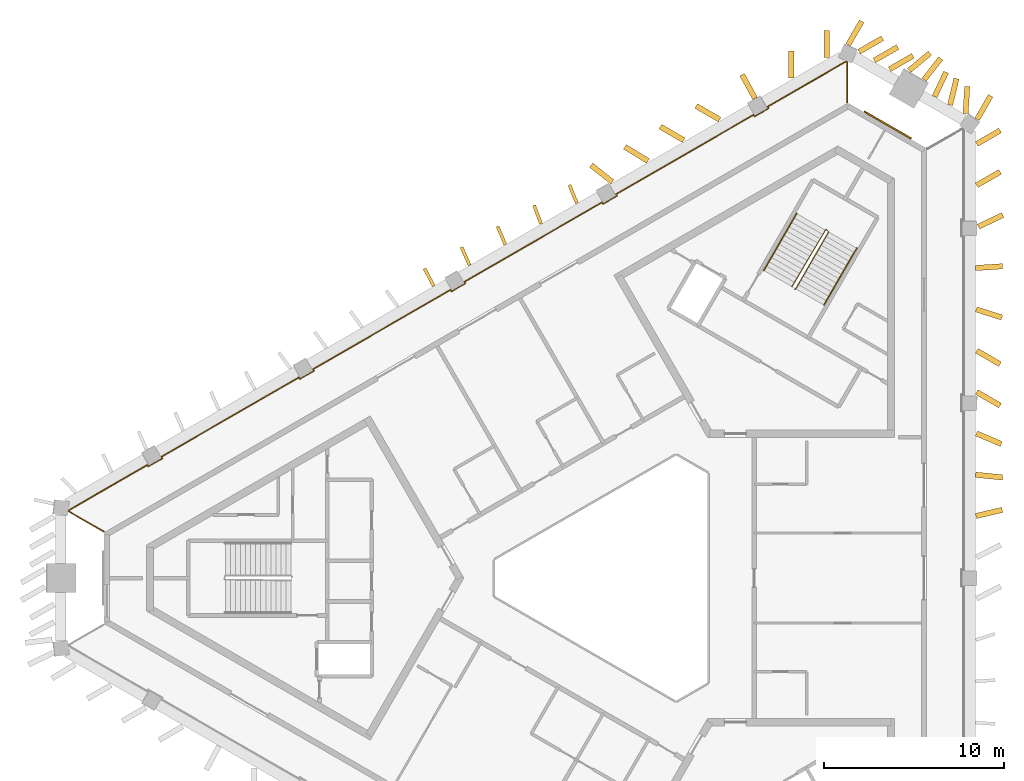
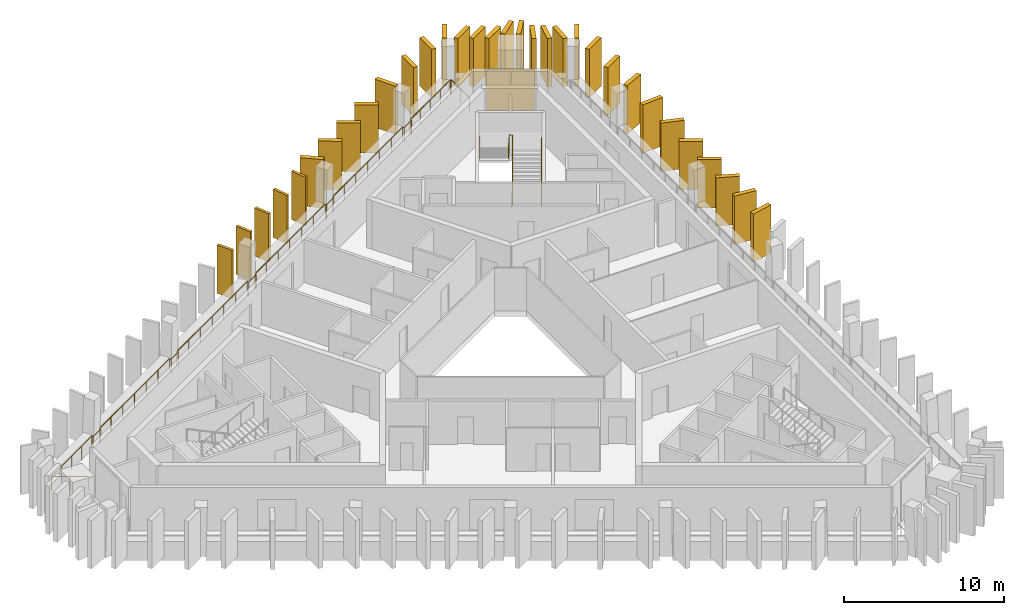
# One storey, part 9 of 9: 32 shading devices, 4 railings, 1 covering.
"""IFC4 building model written with IfcOpenShell, lengths in metres."""

from ifc_helpers import new_model, si_unit, direction, frame, frame_2d, origin, origin_2d, place, context, subcontext, project, spatial, rectangle, circle, extrude, material, layer, layer_set, type_object, element, save


model = new_model("IFC4")

# Units and contexts
model_context = context("Model", 3, precision=1e-05, world=origin(), true_north=direction((0.0, 1.0)))
body_context = subcontext(model_context, "Body", "Model", "MODEL_VIEW")
ifc_project = project(units=[si_unit("LENGTHUNIT", "METRE"), si_unit("AREAUNIT", "SQUARE_METRE"), si_unit("VOLUMEUNIT", "CUBIC_METRE"), si_unit("PLANEANGLEUNIT", "RADIAN"), si_unit("MASSUNIT", "GRAM", prefix="KILO")], contexts=[model_context])

# Site, building, storey
site_placement = place(None, origin())
site = spatial("IfcSite", under=ifc_project, at=site_placement, CompositionType="ELEMENT")
building_placement = place(site_placement, origin())
building = spatial("IfcBuilding", under=site, at=building_placement, Name="Jabali Bay Hotel Tower and Convention Centre", CompositionType="ELEMENT")
storey_placement = place(building_placement, frame((0.0, 0.0, 277.5)))
storey = spatial("IfcBuildingStorey", under=building, at=storey_placement, Name="L68", CompositionType="ELEMENT", Elevation=277.5)

# Railing
ifc_material_1 = material(Name="Glass", Category="glass")
railing_type_1 = type_object("IfcRailingType", Name="Loggia glass guard 1100", PredefinedType="BALUSTRADE", material=ifc_material_1)
railing_1_placement = place(storey_placement, frame((46.0478515625, 82.571533203125, 0.0)))
element("IfcRailing", 1, at=railing_1_placement, inside=storey, type_object=railing_type_1, Name="Loggia glass guard L68", PredefinedType="BALUSTRADE", context=body_context, shape_type="SweptSolid", body=[
    extrude(circle(Radius=0.02490234375, at=origin_2d()), frame((0.0, 0.0, 1.0751953125), z_axis=(-0.865989003036, 0.500063042646, 0.0), x_axis=(-0.495784933994, -0.858580347067, 0.13052619222)), (0.0, 0.0, 1.0), 2.275146484375),
    extrude(circle(Radius=0.02490234375, at=origin_2d()), frame((-1.97021484375, 1.1376953125, 1.0751953125), z_axis=(0.11836727086, 0.992969883324, 0.0), x_axis=(-0.984474888321, 0.117354622449, 0.13052619222)), (0.0, 0.0, 1.0), 0.037109375),
    extrude(circle(Radius=0.02490234375, at=origin_2d()), frame((-1.9658203125, 1.174560546875, 1.0751953125), z_axis=(0.866015766061, 0.500016692654, 0.0), x_axis=(-0.495738980533, 0.85860688113, 0.13052619222)), (0.0, 0.0, 1.0), 5.051513671875),
    extrude(circle(Radius=0.02490234375, at=origin_2d()), frame((2.408935546875, 3.700439453125, 1.0751953125), z_axis=(0.500074377092, -0.865982457891, 0.0), x_axis=(0.858573857916, 0.495796171473, 0.13052619222)), (0.0, 0.0, 1.0), 0.10009765625),
    extrude(circle(Radius=0.02490234375, at=origin_2d()), frame((2.458984375, 3.61376953125, 1.0751953125), z_axis=(0.866081705922, 0.499902469156, 0.0), x_axis=(-0.495625734232, 0.858672256866, 0.13052619222)), (0.0, 0.0, 1.0), 0.900146484375),
    extrude(circle(Radius=0.02490234375, at=origin_2d()), frame((3.238525390625, 4.063720703125, 1.0751953125), z_axis=(-0.500074377092, 0.865982457891, 0.0), x_axis=(-0.858573857916, -0.495796171473, 0.13052619222)), (0.0, 0.0, 1.0), 0.10009765625),
    extrude(circle(Radius=0.02490234375, at=origin_2d()), frame((3.1884765625, 4.150390625, 1.0751953125), z_axis=(0.866015113096, 0.500017823572, 0.0), x_axis=(-0.495740101776, 0.858606233751, 0.13052619222)), (0.0, 0.0, 1.0), 8.800537109375),
    extrude(circle(Radius=0.02490234375, at=origin_2d()), frame((10.809814453125, 8.55078125, 1.0751953125), z_axis=(0.500074377092, -0.865982457891, 0.0), x_axis=(0.858573857916, 0.495796171473, 0.13052619222)), (0.0, 0.0, 1.0), 0.10009765625),
    extrude(circle(Radius=0.02490234375, at=origin_2d()), frame((10.85986328125, 8.464111328125, 1.0751953125), z_axis=(0.866081705922, 0.499902469156, 0.0), x_axis=(-0.495625734232, 0.858672256866, 0.13052619222)), (0.0, 0.0, 1.0), 0.900146484375),
    extrude(circle(Radius=0.02490234375, at=origin_2d()), frame((11.639404296875, 8.9140625, 1.0751953125), z_axis=(-0.500074377092, 0.865982457891, 0.0), x_axis=(-0.858573857916, -0.495796171473, 0.13052619222)), (0.0, 0.0, 1.0), 0.10009765625),
    extrude(circle(Radius=0.02490234375, at=origin_2d()), frame((11.58935546875, 9.000732421875, 1.0751953125), z_axis=(0.866034061049, 0.499985004878, 0.0), x_axis=(-0.49570756385, 0.858625019602, 0.13052619222)), (0.0, 0.0, 1.0), 8.800537109375),
    extrude(circle(Radius=0.02490234375, at=origin_2d()), frame((19.2109375, 13.40087890625, 1.0751953125), z_axis=(0.499298623879, -0.866429964967, 0.0), x_axis=(0.859017536507, 0.495027054936, 0.13052619222)), (0.0, 0.0, 1.0), 0.099853515625),
    extrude(circle(Radius=0.02490234375, at=origin_2d()), frame((19.2607421875, 13.314453125, 1.0751953125), z_axis=(0.866081705922, 0.499902469156, 0.0), x_axis=(-0.495625734232, 0.858672256866, 0.13052619222)), (0.0, 0.0, 1.0), 0.900146484375),
    extrude(circle(Radius=0.02490234375, at=origin_2d()), frame((20.040283203125, 13.764404296875, 1.0751953125), z_axis=(-0.501132629342, 0.865370491644, 0.0), x_axis=(-0.857967127125, -0.496845370228, 0.13052619222)), (0.0, 0.0, 1.0), 0.099853515625),
    extrude(circle(Radius=0.02490234375, at=origin_2d()), frame((19.990234375, 13.850830078125, 1.0751953125), z_axis=(0.866022048785, 0.500005810984, 0.0), x_axis=(-0.495728191957, 0.858613110104, 0.13052619222)), (0.0, 0.0, 1.0), 8.80078125),
    extrude(circle(Radius=0.02490234375, at=origin_2d()), frame((27.61181640625, 18.251220703125, 1.0751953125), z_axis=(0.4982416694, -0.867038199201, 0.0), x_axis=(0.859620567213, 0.493979142849, 0.13052619222)), (0.0, 0.0, 1.0), 0.099853515625),
    extrude(circle(Radius=0.02490234375, at=origin_2d()), frame((27.66162109375, 18.16455078125, 1.0751953125), z_axis=(0.866081705922, 0.499902469156, 0.0), x_axis=(-0.495625734232, 0.858672256866, 0.13052619222)), (0.0, 0.0, 1.0), 0.900146484375),
    extrude(circle(Radius=0.02490234375, at=origin_2d()), frame((28.441162109375, 18.614501953125, 1.0751953125), z_axis=(-0.500074377092, 0.865982457891, 0.0), x_axis=(-0.858573857916, -0.495796171473, 0.13052619222)), (0.0, 0.0, 1.0), 0.10009765625),
    extrude(circle(Radius=0.02490234375, at=origin_2d()), frame((28.39111328125, 18.701171875, 1.0751953125), z_axis=(0.866022048785, 0.500005810984, 0.0), x_axis=(-0.495728191957, 0.858613110104, 0.13052619222)), (0.0, 0.0, 1.0), 8.80078125),
    extrude(circle(Radius=0.02490234375, at=origin_2d()), frame((36.0126953125, 23.1015625, 1.0751953125), z_axis=(0.500074377092, -0.865982457891, 0.0), x_axis=(0.858573857916, 0.495796171473, 0.13052619222)), (0.0, 0.0, 1.0), 0.10009765625),
    extrude(circle(Radius=0.02490234375, at=origin_2d()), frame((36.062744140625, 23.014892578125, 1.0751953125), z_axis=(0.866013897511, 0.50001992892, 0.0), x_axis=(-0.495742189112, 0.858605028566, 0.13052619222)), (0.0, 0.0, 1.0), 0.89990234375),
    extrude(circle(Radius=0.02490234375, at=origin_2d()), frame((36.842041015625, 23.46484375, 1.0751953125), z_axis=(-0.500074377092, 0.865982457891, 0.0), x_axis=(-0.858573857916, -0.495796171473, 0.13052619222)), (0.0, 0.0, 1.0), 0.10009765625),
    extrude(circle(Radius=0.02490234375, at=origin_2d()), frame((36.7919921875, 23.551513671875, 1.0751953125), z_axis=(0.866036693549, 0.499980445045, 0.0), x_axis=(-0.495703043027, 0.85862762958, 0.13052619222)), (0.0, 0.0, 1.0), 5.051513671875),
    extrude(circle(Radius=0.02490234375, at=origin_2d()), frame((41.166748046875, 26.0771484375, 1.0751953125), z_axis=(0.922495174035, -0.386008618922, 0.0), x_axis=(0.382706261677, 0.914603099939, 0.13052619222)), (0.0, 0.0, 1.0), 0.037353515625),
    extrude(circle(Radius=0.02490234375, at=origin_2d()), frame((41.201171875, 26.062744140625, 1.0751953125), z_axis=(0.0, -1.0, 0.0), x_axis=(0.991444861374, 0.0, 0.13052619222)), (0.0, 0.0, 1.0), 2.275146484375),
    extrude(circle(Radius=0.02001953125, at=origin_2d()), origin(), (0.0, 0.0, 1.0), 1.050048828125),
    extrude(circle(Radius=0.02001953125, at=origin_2d()), frame((-0.985107421875, 0.56884765625, 0.0)), (0.0, 0.0, 1.0), 1.050048828125),
    extrude(circle(Radius=0.02001953125, at=origin_2d()), frame((-1.97021484375, 1.1376953125, 0.0)), (0.0, 0.0, 1.0), 1.050048828125),
    extrude(circle(Radius=0.02001953125, at=origin_2d()), frame((-1.9658203125, 1.174560546875, 0.0)), (0.0, 0.0, 1.0), 1.050048828125),
    extrude(circle(Radius=0.02001953125, at=origin_2d()), frame((-0.8720703125, 1.80615234375, 0.0)), (0.0, 0.0, 1.0), 1.050048828125),
    extrude(circle(Radius=0.02001953125, at=origin_2d()), frame((0.2216796875, 2.4375, 0.0)), (0.0, 0.0, 1.0), 1.050048828125),
    extrude(circle(Radius=0.02001953125, at=origin_2d()), frame((1.315185546875, 3.06884765625, 0.0)), (0.0, 0.0, 1.0), 1.050048828125),
    extrude(circle(Radius=0.02001953125, at=origin_2d()), frame((2.408935546875, 3.700439453125, 0.0)), (0.0, 0.0, 1.0), 1.050048828125),
    extrude(circle(Radius=0.02001953125, at=origin_2d()), frame((2.458984375, 3.61376953125, 0.0)), (0.0, 0.0, 1.0), 1.050048828125),
    extrude(circle(Radius=0.02001953125, at=origin_2d()), frame((3.238525390625, 4.063720703125, 0.0)), (0.0, 0.0, 1.0), 1.050048828125),
    extrude(circle(Radius=0.02001953125, at=origin_2d()), frame((3.1884765625, 4.150390625, 0.0)), (0.0, 0.0, 1.0), 1.050048828125),
    extrude(circle(Radius=0.02001953125, at=origin_2d()), frame((4.458740234375, 4.8837890625, 0.0)), (0.0, 0.0, 1.0), 1.050048828125),
    extrude(circle(Radius=0.02001953125, at=origin_2d()), frame((5.72900390625, 5.6171875, 0.0)), (0.0, 0.0, 1.0), 1.050048828125),
    extrude(circle(Radius=0.02001953125, at=origin_2d()), frame((6.9990234375, 6.3505859375, 0.0)), (0.0, 0.0, 1.0), 1.050048828125),
    extrude(circle(Radius=0.02001953125, at=origin_2d()), frame((8.269287109375, 7.083984375, 0.0)), (0.0, 0.0, 1.0), 1.050048828125),
    extrude(circle(Radius=0.02001953125, at=origin_2d()), frame((9.53955078125, 7.8173828125, 0.0)), (0.0, 0.0, 1.0), 1.050048828125),
    extrude(circle(Radius=0.02001953125, at=origin_2d()), frame((10.809814453125, 8.55078125, 0.0)), (0.0, 0.0, 1.0), 1.050048828125),
    extrude(circle(Radius=0.02001953125, at=origin_2d()), frame((10.85986328125, 8.464111328125, 0.0)), (0.0, 0.0, 1.0), 1.050048828125),
    extrude(circle(Radius=0.02001953125, at=origin_2d()), frame((11.639404296875, 8.9140625, 0.0)), (0.0, 0.0, 1.0), 1.050048828125),
    extrude(circle(Radius=0.02001953125, at=origin_2d()), frame((11.58935546875, 9.000732421875, 0.0)), (0.0, 0.0, 1.0), 1.050048828125),
    extrude(circle(Radius=0.02001953125, at=origin_2d()), frame((12.859619140625, 9.734130859375, 0.0)), (0.0, 0.0, 1.0), 1.050048828125),
    extrude(circle(Radius=0.02001953125, at=origin_2d()), frame((14.1298828125, 10.467529296875, 0.0)), (0.0, 0.0, 1.0), 1.050048828125),
    extrude(circle(Radius=0.02001953125, at=origin_2d()), frame((15.400146484375, 11.20068359375, 0.0)), (0.0, 0.0, 1.0), 1.050048828125),
    extrude(circle(Radius=0.02001953125, at=origin_2d()), frame((16.67041015625, 11.93408203125, 0.0)), (0.0, 0.0, 1.0), 1.050048828125),
    extrude(circle(Radius=0.02001953125, at=origin_2d()), frame((17.940673828125, 12.66748046875, 0.0)), (0.0, 0.0, 1.0), 1.050048828125),
    extrude(circle(Radius=0.02001953125, at=origin_2d()), frame((19.2109375, 13.40087890625, 0.0)), (0.0, 0.0, 1.0), 1.050048828125),
    extrude(circle(Radius=0.02001953125, at=origin_2d()), frame((19.2607421875, 13.314453125, 0.0)), (0.0, 0.0, 1.0), 1.050048828125),
    extrude(circle(Radius=0.02001953125, at=origin_2d()), frame((20.040283203125, 13.764404296875, 0.0)), (0.0, 0.0, 1.0), 1.050048828125),
    extrude(circle(Radius=0.02001953125, at=origin_2d()), frame((19.990234375, 13.850830078125, 0.0)), (0.0, 0.0, 1.0), 1.050048828125),
    extrude(circle(Radius=0.02001953125, at=origin_2d()), frame((21.260498046875, 14.584228515625, 0.0)), (0.0, 0.0, 1.0), 1.050048828125),
    extrude(circle(Radius=0.02001953125, at=origin_2d()), frame((22.53076171875, 15.317626953125, 0.0)), (0.0, 0.0, 1.0), 1.050048828125),
    extrude(circle(Radius=0.02001953125, at=origin_2d()), frame((23.801025390625, 16.051025390625, 0.0)), (0.0, 0.0, 1.0), 1.050048828125),
    extrude(circle(Radius=0.02001953125, at=origin_2d()), frame((25.0712890625, 16.784423828125, 0.0)), (0.0, 0.0, 1.0), 1.050048828125),
    extrude(circle(Radius=0.02001953125, at=origin_2d()), frame((26.341552734375, 17.517822265625, 0.0)), (0.0, 0.0, 1.0), 1.050048828125),
    extrude(circle(Radius=0.02001953125, at=origin_2d()), frame((27.61181640625, 18.251220703125, 0.0)), (0.0, 0.0, 1.0), 1.050048828125),
    extrude(circle(Radius=0.02001953125, at=origin_2d()), frame((27.66162109375, 18.16455078125, 0.0)), (0.0, 0.0, 1.0), 1.050048828125),
    extrude(circle(Radius=0.02001953125, at=origin_2d()), frame((28.441162109375, 18.614501953125, 0.0)), (0.0, 0.0, 1.0), 1.050048828125),
    extrude(circle(Radius=0.02001953125, at=origin_2d()), frame((28.39111328125, 18.701171875, 0.0)), (0.0, 0.0, 1.0), 1.050048828125),
    extrude(circle(Radius=0.02001953125, at=origin_2d()), frame((29.661376953125, 19.4345703125, 0.0)), (0.0, 0.0, 1.0), 1.050048828125),
    extrude(circle(Radius=0.02001953125, at=origin_2d()), frame((30.931640625, 20.16796875, 0.0)), (0.0, 0.0, 1.0), 1.050048828125),
    extrude(circle(Radius=0.02001953125, at=origin_2d()), frame((32.201904296875, 20.9013671875, 0.0)), (0.0, 0.0, 1.0), 1.050048828125),
    extrude(circle(Radius=0.02001953125, at=origin_2d()), frame((33.47216796875, 21.634765625, 0.0)), (0.0, 0.0, 1.0), 1.050048828125),
    extrude(circle(Radius=0.02001953125, at=origin_2d()), frame((34.742431640625, 22.3681640625, 0.0)), (0.0, 0.0, 1.0), 1.050048828125),
    extrude(circle(Radius=0.02001953125, at=origin_2d()), frame((36.0126953125, 23.1015625, 0.0)), (0.0, 0.0, 1.0), 1.050048828125),
    extrude(circle(Radius=0.02001953125, at=origin_2d()), frame((36.062744140625, 23.014892578125, 0.0)), (0.0, 0.0, 1.0), 1.050048828125),
    extrude(circle(Radius=0.02001953125, at=origin_2d()), frame((36.842041015625, 23.46484375, 0.0)), (0.0, 0.0, 1.0), 1.050048828125),
    extrude(circle(Radius=0.02001953125, at=origin_2d()), frame((36.7919921875, 23.551513671875, 0.0)), (0.0, 0.0, 1.0), 1.050048828125),
    extrude(circle(Radius=0.02001953125, at=origin_2d()), frame((37.8857421875, 24.182861328125, 0.0)), (0.0, 0.0, 1.0), 1.050048828125),
    extrude(circle(Radius=0.02001953125, at=origin_2d()), frame((38.9794921875, 24.814453125, 0.0)), (0.0, 0.0, 1.0), 1.050048828125),
    extrude(circle(Radius=0.02001953125, at=origin_2d()), frame((40.072998046875, 25.44580078125, 0.0)), (0.0, 0.0, 1.0), 1.050048828125),
    extrude(circle(Radius=0.02001953125, at=origin_2d()), frame((41.166748046875, 26.0771484375, 0.0)), (0.0, 0.0, 1.0), 1.050048828125),
    extrude(circle(Radius=0.02001953125, at=origin_2d()), frame((41.201171875, 26.062744140625, 0.0)), (0.0, 0.0, 1.0), 1.050048828125),
    extrude(circle(Radius=0.02001953125, at=origin_2d()), frame((41.201171875, 24.92529296875, 0.0)), (0.0, 0.0, 1.0), 1.050048828125),
    extrude(circle(Radius=0.02001953125, at=origin_2d()), frame((41.201171875, 23.78759765625, 0.0)), (0.0, 0.0, 1.0), 1.050048828125),
])

# Shading devices
ifc_material_2 = material(Name="Precast concrete C60", Category="concrete")
ifc_layer_1 = layer(ifc_material_2, 0.179931640625)
ifc_layer_set_1 = layer_set([ifc_layer_1], Name="Precast concrete C60")
shading_device_type_1 = type_object("IfcShadingDeviceType", Name="Precast fin 3680 x 1100", PredefinedType="USERDEFINED", material=ifc_layer_set_1)
shading_device_1_placement = place(storey_placement, frame((72.265625, 100.77392578125, 0.010009765625), z_axis=(0.0, 0.0, 1.0), x_axis=(-0.376359189928, 0.926473831339, 0.0)))
element("IfcShadingDevice", 2, at=shading_device_1_placement, inside=storey, type_object=shading_device_type_1, Name="Fin L68 037", ObjectType="FIN", PredefinedType="USERDEFINED", context=body_context, shape_type="SweptSolid", body=[
    extrude(rectangle(XDim=1.10009765625, YDim=0.179931640625, at=frame_2d((0.550048828125, 0.0))), origin(), (0.0, 0.0, 1.0), 3.679931640625),
])
for number, where, z_axis, x_axis, name in (
    (3, (70.2802734375, 99.63037109375, 0.010009765625), (0.0, 0.0, 1.0), (-0.353797640274, 0.935321992544, 0.0), "Fin L68 038"),
    (4, (68.2978515625, 98.481689453125, 0.010009765625), (0.0, 0.0, 1.0), (-0.391131239312, 0.920334913841, 0.0), "Fin L68 039"),
    (5, (66.314208984375, 97.335205078125, 0.010009765625), (0.0, 0.0, 1.0), (-0.401540652367, 0.91584120048, 0.0), "Fin L68 040"),
    (6, (64.33349609375, 96.18408203125, 0.010009765625), (0.0, 0.0, 1.0), (-0.467255274721, 0.884122450934, 0.0), "Fin L68 041"),
):
    element("IfcShadingDevice", number, at=place(storey_placement, frame(where, z_axis=z_axis, x_axis=x_axis)), inside=storey, type_object=shading_device_type_1, Name=name, ObjectType="FIN", PredefinedType="USERDEFINED", context=body_context, shape_type="SweptSolid", body=[
        extrude(rectangle(XDim=1.099853515625, YDim=0.179931640625, at=frame_2d((0.5498046875, 0.0))), origin(), (0.0, 0.0, 1.0), 3.679931640625),
    ])
ifc_layer_2 = layer(ifc_material_2, 0.300048828125)
ifc_layer_set_2 = layer_set([ifc_layer_2], Name="Precast concrete C60")
shading_device_type_2 = type_object("IfcShadingDeviceType", Name="Precast fin 3680 x 1500", PredefinedType="USERDEFINED", material=ifc_layer_set_2)
for number, where, z_axis, x_axis, name in (
    (7, (94.3798828125, 83.436767578125, 0.010009765625), (0.0, 0.0, 1.0), (0.973464107969, 0.228839748504, 0.0), "Fin L68 012"),
    (8, (94.36083984375, 85.727783203125, 0.010009765625), (0.0, 0.0, 1.0), (0.994795830464, -0.101888447296, 0.0), "Fin L68 013"),
):
    element("IfcShadingDevice", number, at=place(storey_placement, frame(where, z_axis=z_axis, x_axis=x_axis)), inside=storey, type_object=shading_device_type_2, Name=name, ObjectType="FIN", PredefinedType="USERDEFINED", context=body_context, shape_type="SweptSolid", body=[
        extrude(rectangle(XDim=1.5, YDim=0.300048828125, at=frame_2d((0.75, 0.0))), origin(), (0.0, 0.0, 1.0), 3.679931640625),
    ])
shading_device_2_placement = place(storey_placement, frame((94.404541015625, 88.018798828125, 0.010009765625), z_axis=(0.0, 0.0, 1.0), x_axis=(0.919842394291, -0.392288120729, 0.0)))
element("IfcShadingDevice", 9, at=shading_device_2_placement, inside=storey, type_object=shading_device_type_2, Name="Fin L68 014", ObjectType="FIN", PredefinedType="USERDEFINED", context=body_context, shape_type="SweptSolid", body=[
    extrude(rectangle(XDim=1.499755859375, YDim=0.300048828125, at=frame_2d((0.75, 0.0))), origin(), (0.0, 0.0, 1.0), 3.679931640625),
])
for number, where, z_axis, x_axis, name in (
    (10, (94.420654296875, 90.31005859375, 0.010009765625), (0.0, 0.0, 1.0), (0.866031096941, -0.499990139034, 0.0), "Fin L68 015"),
    (11, (94.420654296875, 92.60107421875, 0.010009765625), (0.0, 0.0, 1.0), (0.866031096941, -0.499990139034, 0.0), "Fin L68 016"),
    (12, (94.390869140625, 94.89208984375, 0.010009765625), (0.0, 0.0, 1.0), (0.953390614947, -0.30173885287, 0.0), "Fin L68 017"),
    (13, (94.35546875, 97.183349609375, 0.010009765625), (0.0, 0.0, 1.0), (0.997889057947, 0.06494172796, 0.0), "Fin L68 018"),
    (14, (94.517822265625, 99.474365234375, 0.010009765625), (0.0, 0.0, 1.0), (0.902354459158, 0.430994698386, 0.0), "Fin L68 019"),
    (15, (94.420654296875, 101.765380859375, 0.010009765625), (0.0, 0.0, 1.0), (0.866031096941, 0.499990139034, 0.0), "Fin L68 020"),
    (16, (94.420654296875, 104.056640625, 0.010009765625), (0.0, 0.0, 1.0), (0.866031096941, 0.499990139034, 0.0), "Fin L68 021"),
    (17, (93.80810546875, 105.752197265625, 0.010009765625), (0.0, 0.0, 1.0), (0.059408985833, 0.99823372634, 0.0), "Fin L68 022"),
    (18, (92.95166015625, 106.21875, 0.010009765625), (0.0, 0.0, 1.0), (0.231950599533, 0.972727566884, 0.0), "Fin L68 023"),
    (19, (92.09228515625, 106.679931640625, 0.010009765625), (0.0, 0.0, 1.0), (0.424942519728, 0.905220335016, 0.0), "Fin L68 024"),
    (20, (91.508056640625, 107.6181640625, 0.010009765625), (0.0, 0.0, 1.0), (0.612452180907, 0.790507638231, 0.0), "Fin L68 025"),
    (21, (90.6796875, 108.133056640625, 0.010009765625), (0.0, 0.0, 1.0), (0.769207603857, 0.638998953183, 0.0), "Fin L68 026"),
    (22, (89.590576171875, 108.1962890625, 0.010009765625), (0.0, 0.0, 1.0), (0.866031096941, 0.499990139034, 0.0), "Fin L68 027"),
    (23, (88.746337890625, 108.683837890625, 0.010009765625), (0.0, 0.0, 1.0), (0.866031096941, 0.499990139034, 0.0), "Fin L68 028"),
    (24, (87.902099609375, 109.171142578125, 0.010009765625), (0.0, 0.0, 1.0), (0.866031096941, 0.499990139034, 0.0), "Fin L68 029"),
    (25, (86.123291015625, 108.846923828125, 0.010009765625), (0.0, 0.0, 1.0), (0.0, 1.0, 0.0), "Fin L68 030"),
    (26, (84.13916015625, 107.701416015625, 0.010009765625), (0.0, 0.0, 1.0), (-0.000162760415, 0.999999986755, 0.0), "Fin L68 031"),
    (27, (82.136962890625, 106.587158203125, 0.010009765625), (0.0, 0.0, 1.0), (-0.479661593563, 0.87745356325, 0.0), "Fin L68 032"),
):
    element("IfcShadingDevice", number, at=place(storey_placement, frame(where, z_axis=z_axis, x_axis=x_axis)), inside=storey, type_object=shading_device_type_2, Name=name, ObjectType="FIN", PredefinedType="USERDEFINED", context=body_context, shape_type="SweptSolid", body=[
        extrude(rectangle(XDim=1.5, YDim=0.300048828125, at=frame_2d((0.75, 0.0))), origin(), (0.0, 0.0, 1.0), 3.679931640625),
    ])
shading_device_3_placement = place(storey_placement, frame((80.1708984375, 105.41015625, 0.010009765625), z_axis=(0.0, 0.0, 1.0), x_axis=(-0.865485705489, 0.500933621944, 0.0)))
element("IfcShadingDevice", 28, at=shading_device_3_placement, inside=storey, type_object=shading_device_type_2, Name="Fin L68 033", ObjectType="FIN", PredefinedType="USERDEFINED", context=body_context, shape_type="SweptSolid", body=[
    extrude(rectangle(XDim=1.500244140625, YDim=0.300048828125, at=frame_2d((0.75, 0.0))), origin(), (0.0, 0.0, 1.0), 3.679931640625),
])
shading_device_4_placement = place(storey_placement, frame((78.18701171875, 104.264404296875, 0.010009765625), z_axis=(0.0, 0.0, 1.0), x_axis=(-0.863648994848, 0.504093655681, 0.0)))
element("IfcShadingDevice", 29, at=shading_device_4_placement, inside=storey, type_object=shading_device_type_2, Name="Fin L68 034", ObjectType="FIN", PredefinedType="USERDEFINED", context=body_context, shape_type="SweptSolid", body=[
    extrude(rectangle(XDim=1.5, YDim=0.300048828125, at=frame_2d((0.75, 0.0))), origin(), (0.0, 0.0, 1.0), 3.679931640625),
])
shading_device_5_placement = place(storey_placement, frame((76.2041015625, 103.11669921875, 0.010009765625), z_axis=(0.0, 0.0, 1.0), x_axis=(-0.853924973125, 0.520396137835, 0.0)))
element("IfcShadingDevice", 30, at=shading_device_5_placement, inside=storey, type_object=shading_device_type_2, Name="Fin L68 035", ObjectType="FIN", PredefinedType="USERDEFINED", context=body_context, shape_type="SweptSolid", body=[
    extrude(rectangle(XDim=1.499755859375, YDim=0.300048828125, at=frame_2d((0.75, 0.0))), origin(), (0.0, 0.0, 1.0), 3.679931640625),
])
shading_device_6_placement = place(storey_placement, frame((74.22802734375, 101.95703125, 0.010009765625), z_axis=(0.0, 0.0, 1.0), x_axis=(-0.786081087293, 0.618123389139, 0.0)))
element("IfcShadingDevice", 31, at=shading_device_6_placement, inside=storey, type_object=shading_device_type_2, Name="Fin L68 036", ObjectType="FIN", PredefinedType="USERDEFINED", context=body_context, shape_type="SweptSolid", body=[
    extrude(rectangle(XDim=1.5, YDim=0.300048828125, at=frame_2d((0.75, 0.0))), origin(), (0.0, 0.0, 1.0), 3.679931640625),
])
shading_device_7_placement = place(storey_placement, frame((94.446533203125, 105.42919921875, 0.010009765625), z_axis=(0.0, 0.0, 1.0), x_axis=(0.500060622324, 0.86599040064, 0.0)))
element("IfcShadingDevice", 32, at=shading_device_7_placement, inside=storey, type_object=shading_device_type_2, Name="Fin L68 091", ObjectType="FIN", PredefinedType="USERDEFINED", context=body_context, shape_type="SweptSolid", body=[
    extrude(rectangle(XDim=1.499755859375, YDim=0.300048828125, at=frame_2d((0.75, 0.0))), origin(), (0.0, 0.0, 1.0), 3.679931640625),
])
shading_device_8_placement = place(storey_placement, frame((87.299072265625, 109.5556640625, 0.010009765625), z_axis=(0.0, 0.0, 1.0), x_axis=(0.499990139034, 0.866031096941, 0.0)))
element("IfcShadingDevice", 33, at=shading_device_8_placement, inside=storey, type_object=shading_device_type_2, Name="Fin L68 092", ObjectType="FIN", PredefinedType="USERDEFINED", context=body_context, shape_type="SweptSolid", body=[
    extrude(rectangle(XDim=1.5, YDim=0.300048828125, at=frame_2d((0.75, 0.0))), origin(), (0.0, 0.0, 1.0), 3.679931640625),
])

# Covering
ifc_material_3 = material(Name="Precast concrete C40/50", Category="concrete")
ifc_layer_3 = layer(ifc_material_3, 0.080078125)
ifc_layer_set_3 = layer_set([ifc_layer_3], Name="Precast concrete C40/50")
covering_type = type_object("IfcCoveringType", Name="Relief panel 3000 x 3100", PredefinedType="CLADDING", material=ifc_layer_set_3)
covering_placement = place(storey_placement, frame((89.49609375, 105.10791015625, 0.099853515625), z_axis=(0.0, 0.0, 1.0), x_axis=(0.866025434537, -0.499999946735, 0.0)))
element("IfcCovering", 34, at=covering_placement, inside=storey, type_object=covering_type, Name="Relief panel L68", PredefinedType="CLADDING", context=body_context, shape_type="SweptSolid", body=[
    extrude(rectangle(XDim=3.0, YDim=0.080078125, at=origin_2d()), origin(), (0.0, 0.0, 1.0), 3.10009765625),
])

# Railings
ifc_material_4 = material(Name="Steel Q355B", Category="steel")
railing_type_2 = type_object("IfcRailingType", Name="Stair guard 1100", PredefinedType="GUARDRAIL", material=ifc_material_4)
railing_2_placement = place(storey_placement, frame((84.329833984375, 96.010009765625, 0.0)))
element("IfcRailing", 35, at=railing_2_placement, inside=storey, type_object=railing_type_2, Name="L68 ST2 stair guard 1", PredefinedType="GUARDRAIL", context=body_context, shape_type="SweptSolid", body=[
    extrude(circle(Radius=0.02392578125, at=origin_2d()), frame((0.0, 0.0, 1.076171875), z_axis=(0.456201556387, 0.122196845461, 0.881446578591), x_axis=(-0.258736085224, 0.965948051503, 0.0)), (0.0, 0.0, 1.0), 0.14990234375),
    extrude(circle(Radius=0.02392578125, at=origin_2d()), frame((0.068359375, 0.018310546875, 1.2080078125), z_axis=(0.45217862506, 0.783169739339, 0.426825081763), x_axis=(-0.866018046521, 0.500012742938, 0.0)), (0.0, 0.0, 1.0), 4.025146484375),
    extrude(circle(Radius=0.02392578125, at=origin_2d()), frame((1.888427734375, 3.170654296875, 2.92626953125), z_axis=(-0.718850276695, 0.695164929852, 0.0), x_axis=(-0.695164929852, -0.718850276695, 0.0)), (0.0, 0.0, 1.0), 0.2060546875),
    extrude(circle(Radius=0.02392578125, at=origin_2d()), frame((1.740234375, 3.31396484375, 2.92626953125), z_axis=(-0.457457462341, -0.768067235091, 0.448113147015), x_axis=(0.859157857954, -0.511710636118, 0.0)), (0.0, 0.0, 1.0), 4.128173828125),
    extrude(circle(Radius=0.02099609375, at=origin_2d()), origin(), (0.0, 0.0, 1.0), 1.052001953125),
    extrude(circle(Radius=0.02099609375, at=origin_2d()), frame((0.068359375, 0.018310546875, 0.132080078125)), (0.0, 0.0, 1.0), 1.052001953125),
    extrude(circle(Radius=0.02099609375, at=origin_2d()), frame((0.5234375, 0.806396484375, 0.5615234375)), (0.0, 0.0, 1.0), 1.052001953125),
    extrude(circle(Radius=0.02099609375, at=origin_2d()), frame((0.978515625, 1.594482421875, 0.9912109375)), (0.0, 0.0, 1.0), 1.052001953125),
    extrude(circle(Radius=0.02099609375, at=origin_2d()), frame((1.433349609375, 2.382568359375, 1.420654296875)), (0.0, 0.0, 1.0), 1.052001953125),
    extrude(circle(Radius=0.02099609375, at=origin_2d()), frame((1.888427734375, 3.170654296875, 1.85009765625)), (0.0, 0.0, 1.0), 1.052001953125),
    extrude(circle(Radius=0.02099609375, at=origin_2d()), frame((1.740234375, 3.31396484375, 1.85009765625)), (0.0, 0.0, 1.0), 1.052001953125),
    extrude(circle(Radius=0.02099609375, at=origin_2d()), frame((1.26806640625, 2.521240234375, 2.3125)), (0.0, 0.0, 1.0), 1.052001953125),
    extrude(circle(Radius=0.02099609375, at=origin_2d()), frame((0.7958984375, 1.728515625, 2.77490234375)), (0.0, 0.0, 1.0), 1.052001953125),
    extrude(circle(Radius=0.02099609375, at=origin_2d()), frame((0.323974609375, 0.93603515625, 3.237548828125)), (0.0, 0.0, 1.0), 1.052001953125),
    extrude(circle(Radius=0.02099609375, at=origin_2d()), frame((-0.148193359375, 0.143310546875, 3.699951171875)), (0.0, 0.0, 1.0), 1.052001953125),
])
railing_type_3 = type_object("IfcRailingType", Name="Stair handrail 900", PredefinedType="HANDRAIL", material=ifc_material_4)
railing_3_placement = place(storey_placement, frame((85.95703125, 95.128173828125, 0.132080078125)))
element("IfcRailing", 36, at=railing_3_placement, inside=storey, type_object=railing_type_3, Name="L68 ST2 stair handrail 1", PredefinedType="HANDRAIL", context=body_context, shape_type="SweptSolid", body=[
    extrude(circle(Radius=0.02392578125, at=origin_2d()), frame((0.0, 0.0, 0.8759765625), z_axis=(0.45217862506, 0.783169739339, 0.426825081763), x_axis=(-0.866018046521, 0.500012742938, 0.0)), (0.0, 0.0, 1.0), 4.025146484375),
    extrude(circle(Radius=0.02099609375, at=origin_2d()), origin(), (0.0, 0.0, 1.0), 0.851806640625),
    extrude(circle(Radius=0.02099609375, at=origin_2d()), frame((0.455078125, 0.7880859375, 0.429443359375)), (0.0, 0.0, 1.0), 0.851806640625),
    extrude(circle(Radius=0.02099609375, at=origin_2d()), frame((0.91015625, 1.576171875, 0.85888671875)), (0.0, 0.0, 1.0), 0.851806640625),
    extrude(circle(Radius=0.02099609375, at=origin_2d()), frame((1.364990234375, 2.3642578125, 1.28857421875)), (0.0, 0.0, 1.0), 0.851806640625),
    extrude(circle(Radius=0.02099609375, at=origin_2d()), frame((1.820068359375, 3.15234375, 1.718017578125)), (0.0, 0.0, 1.0), 0.851806640625),
])
railing_4_placement = place(storey_placement, frame((84.44287109375, 100.20556640625, 1.982177734375)))
element("IfcRailing", 37, at=railing_4_placement, inside=storey, type_object=railing_type_3, Name="L68 ST2 stair handrail 2", PredefinedType="HANDRAIL", context=body_context, shape_type="SweptSolid", body=[
    extrude(circle(Radius=0.02392578125, at=origin_2d()), frame((0.0, 0.0, 0.8759765625), z_axis=(-0.452190331055, -0.783190014029, 0.426775475427), x_axis=(0.866018046521, -0.500012742938, 0.0)), (0.0, 0.0, 1.0), 4.02490234375),
    extrude(circle(Radius=0.02099609375, at=origin_2d()), origin(), (0.0, 0.0, 1.0), 0.851806640625),
    extrude(circle(Radius=0.02099609375, at=origin_2d()), frame((-0.455078125, -0.7880859375, 0.429443359375)), (0.0, 0.0, 1.0), 0.851806640625),
    extrude(circle(Radius=0.02099609375, at=origin_2d()), frame((-0.91015625, -1.576171875, 0.85888671875)), (0.0, 0.0, 1.0), 0.851806640625),
    extrude(circle(Radius=0.02099609375, at=origin_2d()), frame((-1.364990234375, -2.3642578125, 1.288330078125)), (0.0, 0.0, 1.0), 0.851806640625),
    extrude(circle(Radius=0.02099609375, at=origin_2d()), frame((-1.820068359375, -3.15234375, 1.7177734375)), (0.0, 0.0, 1.0), 0.851806640625),
])

save(model, "model.ifc")
